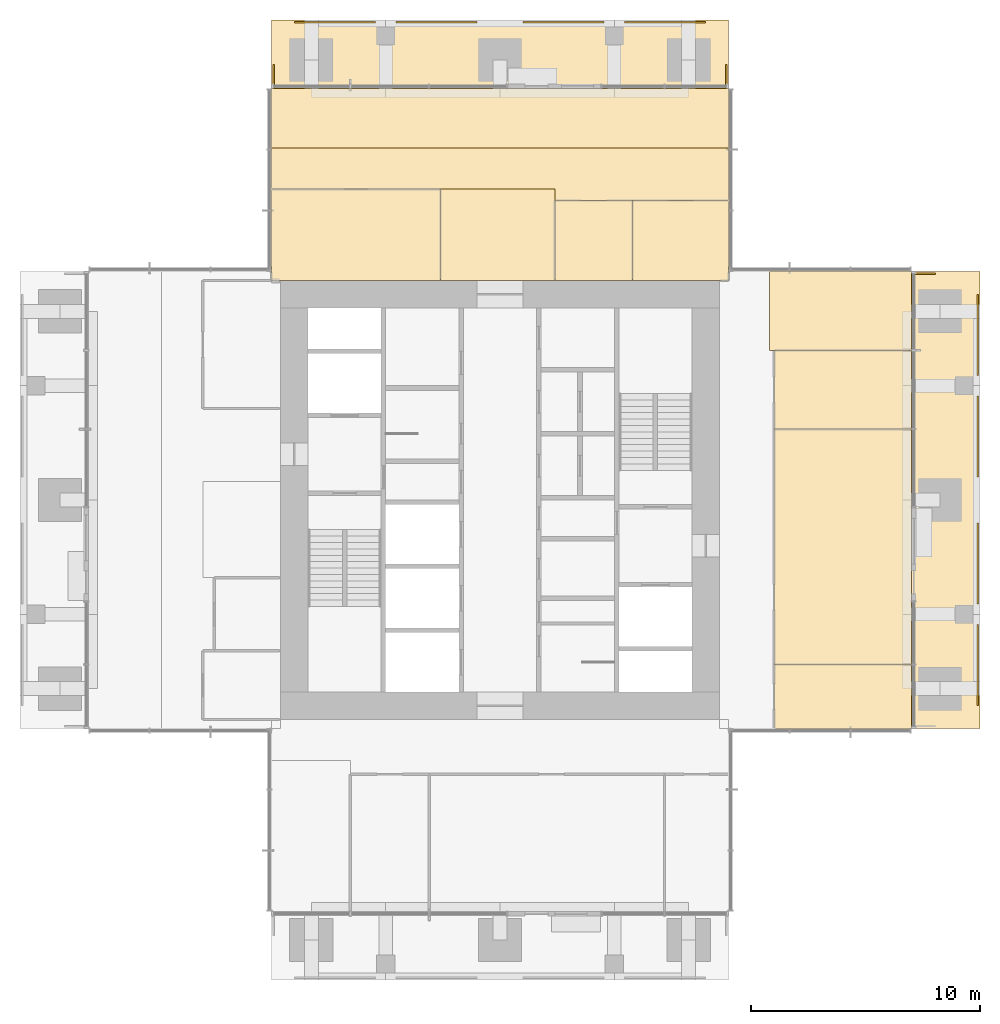
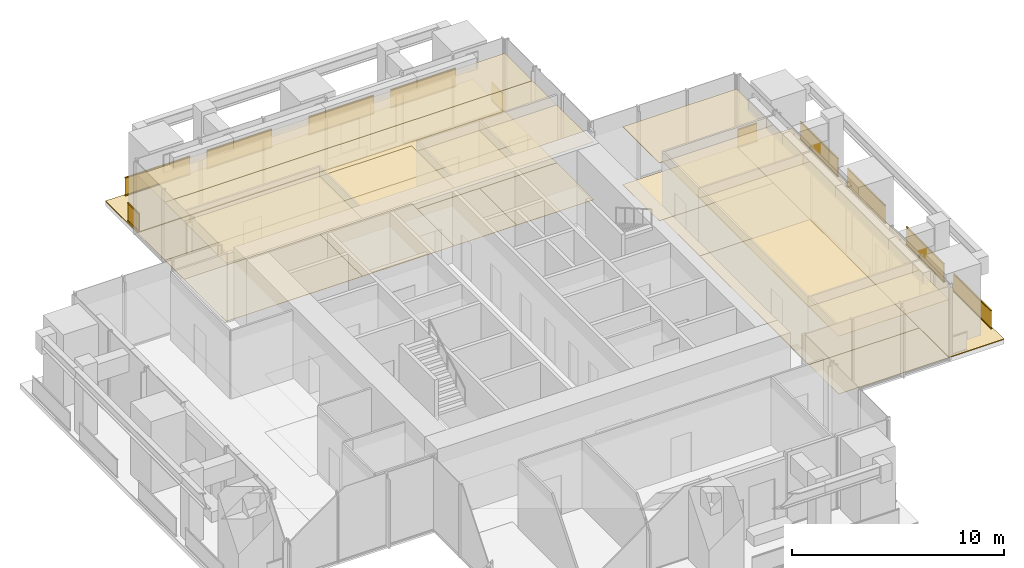
# One storey, part 11 of 12: 22 coverings, 11 railings.
"""IFC4 building model written with IfcOpenShell, lengths in metres."""

from ifc_helpers import new_model, si_unit, direction, frame, origin, origin_2d, place, context, subcontext, project, spatial, polyline, rectangle, outline, extrude, material, layer, layer_set, type_object, element, save


model = new_model("IFC4")

# Units and contexts
model_context = context("Model", 3, precision=1e-05, world=origin(), true_north=direction((0.0, 1.0)))
body_context = subcontext(model_context, "Body", "Model", "MODEL_VIEW")
ifc_project = project(units=[si_unit("LENGTHUNIT", "METRE"), si_unit("AREAUNIT", "SQUARE_METRE"), si_unit("VOLUMEUNIT", "CUBIC_METRE"), si_unit("PLANEANGLEUNIT", "RADIAN"), si_unit("MASSUNIT", "GRAM", prefix="KILO")], contexts=[model_context])

# Site, building, storey
site_placement = place(None, origin())
site = spatial("IfcSite", under=ifc_project, at=site_placement, CompositionType="ELEMENT")
building_placement = place(site_placement, origin())
building = spatial("IfcBuilding", under=site, at=building_placement, Name="Svetlomir Tower", CompositionType="ELEMENT")
storey_placement = place(building_placement, frame((0.0, 0.0, 244.0)))
storey = spatial("IfcBuildingStorey", under=building, at=storey_placement, Name="L58", CompositionType="ELEMENT", Elevation=244.0)

# Railings
ifc_material_1 = material(Name="Bronze anodised aluminium and laminated glass", Category="aluminium")
railing_type = type_object("IfcRailingType", Name="BALCONY GUARD GR1 1100", PredefinedType="GUARDRAIL", material=ifc_material_1)
for number, where, name in (
    (1, (41.89990234375, 12.0, 0.0), "Loggia guard E L58 bay 1"),
    (2, (41.89990234375, 16.449951171875, 0.0), "Loggia guard E L58 bay 2"),
    (3, (41.89990234375, 22.0, 0.0), "Loggia guard E L58 bay 3"),
    (4, (41.89990234375, 26.449951171875, 0.0), "Loggia guard E L58 bay 4"),
):
    element("IfcRailing", number, at=place(storey_placement, frame(where)), inside=storey, type_object=railing_type, Name=name, PredefinedType="GUARDRAIL", context=body_context, shape_type="SweptSolid", body=[
        extrude(rectangle(XDim=0.06005859375, YDim=0.10009765625, at=origin_2d()), frame((0.0, 0.0, 0.050048828125), z_axis=(0.0, 1.0, 0.0), x_axis=(-1.0, 0.0, 0.0)), (0.0, 0.0, 1.0), 3.550048828125),
        extrude(rectangle(XDim=0.021484375, YDim=0.960205078125, at=origin_2d()), frame((0.0, 0.0, 0.580078125), z_axis=(0.0, 1.0, 0.0), x_axis=(-1.0, 0.0, 0.0)), (0.0, 0.0, 1.0), 3.550048828125),
        extrude(rectangle(XDim=0.06005859375, YDim=0.0400390625, at=origin_2d()), frame((0.0, 0.0, 1.080078125), z_axis=(0.0, 1.0, 0.0), x_axis=(-1.0, 0.0, 0.0)), (0.0, 0.0, 1.0), 3.550048828125),
    ])
railing_placement = place(storey_placement, frame((40.050048828125, 30.89990234375, 0.0)))
element("IfcRailing", 5, at=railing_placement, inside=storey, type_object=railing_type, Name="Loggia guard E L58 end 2", PredefinedType="GUARDRAIL", context=body_context, shape_type="SweptSolid", body=[
    extrude(rectangle(XDim=0.06005859375, YDim=0.10009765625, at=origin_2d()), frame((0.0, 0.0, 0.050048828125), z_axis=(-1.0, 0.0, 0.0), x_axis=(0.0, -1.0, 0.0)), (0.0, 0.0, 1.0), 1.050048828125),
    extrude(rectangle(XDim=0.021484375, YDim=0.960205078125, at=origin_2d()), frame((0.0, 0.0, 0.580078125), z_axis=(-1.0, 0.0, 0.0), x_axis=(0.0, -1.0, 0.0)), (0.0, 0.0, 1.0), 1.050048828125),
    extrude(rectangle(XDim=0.06005859375, YDim=0.0400390625, at=origin_2d()), frame((0.0, 0.0, 1.080078125), z_axis=(-1.0, 0.0, 0.0), x_axis=(0.0, -1.0, 0.0)), (0.0, 0.0, 1.0), 1.050048828125),
])
for number, where, name in (
    (6, (12.0, 41.89990234375, 0.0), "Loggia guard N L58 bay 1"),
    (7, (16.449951171875, 41.89990234375, 0.0), "Loggia guard N L58 bay 2"),
    (8, (22.0, 41.89990234375, 0.0), "Loggia guard N L58 bay 3"),
    (9, (26.449951171875, 41.89990234375, 0.0), "Loggia guard N L58 bay 4"),
):
    element("IfcRailing", number, at=place(storey_placement, frame(where)), inside=storey, type_object=railing_type, Name=name, PredefinedType="GUARDRAIL", context=body_context, shape_type="SweptSolid", body=[
        extrude(rectangle(XDim=0.06005859375, YDim=0.10009765625, at=origin_2d()), frame((0.0, 0.0, 0.050048828125), z_axis=(1.0, 0.0, 0.0), x_axis=(0.0, 1.0, 0.0)), (0.0, 0.0, 1.0), 3.550048828125),
        extrude(rectangle(XDim=0.021484375, YDim=0.960205078125, at=origin_2d()), frame((0.0, 0.0, 0.580078125), z_axis=(1.0, 0.0, 0.0), x_axis=(0.0, 1.0, 0.0)), (0.0, 0.0, 1.0), 3.550048828125),
        extrude(rectangle(XDim=0.06005859375, YDim=0.0400390625, at=origin_2d()), frame((0.0, 0.0, 1.080078125), z_axis=(1.0, 0.0, 0.0), x_axis=(0.0, 1.0, 0.0)), (0.0, 0.0, 1.0), 3.550048828125),
    ])
for number, where, name in (
    (10, (11.10009765625, 40.050048828125, 0.0), "Loggia guard N L58 end 1"),
    (11, (30.89990234375, 40.050048828125, 0.0), "Loggia guard N L58 end 2"),
):
    element("IfcRailing", number, at=place(storey_placement, frame(where)), inside=storey, type_object=railing_type, Name=name, PredefinedType="GUARDRAIL", context=body_context, shape_type="SweptSolid", body=[
        extrude(rectangle(XDim=0.06005859375, YDim=0.10009765625, at=origin_2d()), frame((0.0, 0.0, 0.050048828125), z_axis=(0.0, -1.0, 0.0), x_axis=(1.0, 0.0, 0.0)), (0.0, 0.0, 1.0), 1.050048828125),
        extrude(rectangle(XDim=0.021484375, YDim=0.960205078125, at=origin_2d()), frame((0.0, 0.0, 0.580078125), z_axis=(0.0, -1.0, 0.0), x_axis=(1.0, 0.0, 0.0)), (0.0, 0.0, 1.0), 1.050048828125),
        extrude(rectangle(XDim=0.06005859375, YDim=0.0400390625, at=origin_2d()), frame((0.0, 0.0, 1.080078125), z_axis=(0.0, -1.0, 0.0), x_axis=(1.0, 0.0, 0.0)), (0.0, 0.0, 1.0), 1.050048828125),
    ])

# Coverings
ifc_material_2 = material(Name="Granite paving slabs on pedestals", Category="masonry")
ifc_layer_1 = layer(ifc_material_2, 0.0400390625)
ifc_layer_set_1 = layer_set([ifc_layer_1], Name="Granite paving slabs on pedestals")
covering_type_1 = type_object("IfcCoveringType", Name="BALCONY PAVING 40", PredefinedType="USERDEFINED", material=ifc_layer_set_1)
covering_1_placement = place(storey_placement, origin())
element("IfcCovering", 12, at=covering_1_placement, inside=storey, type_object=covering_type_1, Name="Loggia paving E L58", ObjectType="BALCONY PAVING", PredefinedType="USERDEFINED", context=body_context, shape_type="SweptSolid", body=[
    extrude(outline(polyline([(39.0, 11.0), (42.0, 11.0), (42.0, 31.0), (39.0, 31.0), (39.0, 11.0)])), origin(), (0.0, 0.0, 1.0), 0.0400390625),
])
covering_2_placement = place(storey_placement, origin())
element("IfcCovering", 13, at=covering_2_placement, inside=storey, type_object=covering_type_1, Name="Loggia paving N L58", ObjectType="BALCONY PAVING", PredefinedType="USERDEFINED", context=body_context, shape_type="SweptSolid", body=[
    extrude(outline(polyline([(11.0, 39.0), (31.0, 39.0), (31.0, 42.0), (11.0, 42.0), (11.0, 39.0)])), origin(), (0.0, 0.0, 1.0), 0.0400390625),
])
ifc_material_3 = material(Name="Engineered oak floor", Category="wood")
ifc_layer_2 = layer(ifc_material_3, 0.02001953125)
ifc_layer_set_2 = layer_set([ifc_layer_2], Name="Engineered oak floor")
covering_type_2 = type_object("IfcCoveringType", Name="OAK FLOOR 20", PredefinedType="FLOORING", material=ifc_layer_set_2)
covering_3_placement = place(storey_placement, origin())
element("IfcCovering", 14, at=covering_3_placement, inside=storey, type_object=covering_type_2, Name="Floor finish L58-21", PredefinedType="FLOORING", context=body_context, shape_type="SweptSolid", body=[
    extrude(outline(polyline([(33.0, 11.0), (39.0, 11.0), (39.0, 13.800048828125), (33.0, 13.800048828125), (33.0, 11.0)])), origin(), (0.0, 0.0, 1.0), 0.02001953125),
])
covering_4_placement = place(storey_placement, origin())
element("IfcCovering", 15, at=covering_4_placement, inside=storey, type_object=covering_type_2, Name="Floor finish L58-22", PredefinedType="FLOORING", context=body_context, shape_type="SweptSolid", body=[
    extrude(outline(polyline([(33.0, 13.800048828125), (39.0, 13.800048828125), (39.0, 24.10009765625), (33.0, 24.10009765625), (33.0, 13.800048828125)])), origin(), (0.0, 0.0, 1.0), 0.02001953125),
])
covering_5_placement = place(storey_placement, origin())
element("IfcCovering", 16, at=covering_5_placement, inside=storey, type_object=covering_type_2, Name="Floor finish L58-23", PredefinedType="FLOORING", context=body_context, shape_type="SweptSolid", body=[
    extrude(outline(polyline([(33.0, 24.10009765625), (39.0, 24.10009765625), (39.0, 27.550048828125), (33.0, 27.550048828125), (33.0, 24.10009765625)])), origin(), (0.0, 0.0, 1.0), 0.02001953125),
])
covering_6_placement = place(storey_placement, origin())
element("IfcCovering", 17, at=covering_6_placement, inside=storey, type_object=covering_type_2, Name="Floor finish L58-24", PredefinedType="FLOORING", context=body_context, shape_type="SweptSolid", body=[
    extrude(outline(polyline([(11.0, 30.60009765625), (18.39990234375, 30.60009765625), (18.39990234375, 34.60009765625), (11.0, 34.60009765625), (11.0, 30.60009765625)])), origin(), (0.0, 0.0, 1.0), 0.02001953125),
])
covering_7_placement = place(storey_placement, origin())
element("IfcCovering", 18, at=covering_7_placement, inside=storey, type_object=covering_type_2, Name="Floor finish L58-25", PredefinedType="FLOORING", context=body_context, shape_type="SweptSolid", body=[
    extrude(outline(polyline([(23.39990234375, 30.60009765625), (26.800048828125, 30.60009765625), (26.800048828125, 34.10009765625), (23.39990234375, 34.10009765625), (23.39990234375, 30.60009765625)])), origin(), (0.0, 0.0, 1.0), 0.02001953125),
])
covering_8_placement = place(storey_placement, origin())
element("IfcCovering", 19, at=covering_8_placement, inside=storey, type_object=covering_type_2, Name="Floor finish L58-26", PredefinedType="FLOORING", context=body_context, shape_type="SweptSolid", body=[
    extrude(outline(polyline([(26.800048828125, 30.60009765625), (31.0, 30.60009765625), (31.0, 34.10009765625), (26.800048828125, 34.10009765625), (26.800048828125, 30.60009765625)])), origin(), (0.0, 0.0, 1.0), 0.02001953125),
])
covering_9_placement = place(storey_placement, origin())
element("IfcCovering", 20, at=covering_9_placement, inside=storey, type_object=covering_type_2, Name="Floor finish L58-33", PredefinedType="FLOORING", context=body_context, shape_type="SweptSolid", body=[
    extrude(outline(polyline([(11.0, 34.60009765625), (11.0, 36.39990234375), (31.0, 36.39990234375), (31.0, 34.10009765625), (23.39990234375, 34.10009765625), (23.39990234375, 34.60009765625), (11.0, 34.60009765625)])), origin(), (0.0, 0.0, 1.0), 0.02001953125),
])
covering_10_placement = place(storey_placement, origin())
element("IfcCovering", 21, at=covering_10_placement, inside=storey, type_object=covering_type_2, Name="Floor finish L58-35", PredefinedType="FLOORING", context=body_context, shape_type="SweptSolid", body=[
    extrude(outline(polyline([(39.0, 27.550048828125), (32.800048828125, 27.550048828125), (32.800048828125, 31.0), (39.0, 31.0), (39.0, 27.550048828125)])), origin(), (0.0, 0.0, 1.0), 0.02001953125),
])
covering_11_placement = place(storey_placement, origin())
element("IfcCovering", 22, at=covering_11_placement, inside=storey, type_object=covering_type_2, Name="Floor finish L58-36", PredefinedType="FLOORING", context=body_context, shape_type="SweptSolid", body=[
    extrude(outline(polyline([(18.39990234375, 30.60009765625), (18.39990234375, 34.60009765625), (23.39990234375, 34.60009765625), (23.39990234375, 30.60009765625), (18.39990234375, 30.60009765625)])), origin(), (0.0, 0.0, 1.0), 0.02001953125),
])
covering_12_placement = place(storey_placement, origin())
element("IfcCovering", 23, at=covering_12_placement, inside=storey, type_object=covering_type_2, Name="Floor finish L58-37", PredefinedType="FLOORING", context=body_context, shape_type="SweptSolid", body=[
    extrude(outline(polyline([(31.0, 39.0), (31.0, 36.39990234375), (11.0, 36.39990234375), (11.0, 39.0), (31.0, 39.0)])), origin(), (0.0, 0.0, 1.0), 0.02001953125),
])
ifc_material_4 = material(Name="Mineral fibre ceiling tile", Category="mineral")
ifc_layer_3 = layer(ifc_material_4, 0.02001953125)
ifc_layer_set_3 = layer_set([ifc_layer_3], Name="Mineral fibre ceiling tile")
covering_type_3 = type_object("IfcCoveringType", Name="SUSPENDED CEILING 20", PredefinedType="CEILING", material=ifc_layer_set_3)
covering_13_placement = place(storey_placement, frame((0.0, 0.0, 3.330078125)))
element("IfcCovering", 24, at=covering_13_placement, inside=storey, type_object=covering_type_3, Name="Ceiling L58-21", PredefinedType="CEILING", context=body_context, shape_type="SweptSolid", body=[
    extrude(outline(polyline([(33.0, 11.0), (39.0, 11.0), (39.0, 13.800048828125), (33.0, 13.800048828125), (33.0, 11.0)])), origin(), (0.0, 0.0, 1.0), 0.02001953125),
])
covering_14_placement = place(storey_placement, frame((0.0, 0.0, 3.330078125)))
element("IfcCovering", 25, at=covering_14_placement, inside=storey, type_object=covering_type_3, Name="Ceiling L58-22", PredefinedType="CEILING", context=body_context, shape_type="SweptSolid", body=[
    extrude(outline(polyline([(33.0, 13.800048828125), (39.0, 13.800048828125), (39.0, 24.10009765625), (33.0, 24.10009765625), (33.0, 13.800048828125)])), origin(), (0.0, 0.0, 1.0), 0.02001953125),
])
covering_15_placement = place(storey_placement, frame((0.0, 0.0, 3.330078125)))
element("IfcCovering", 26, at=covering_15_placement, inside=storey, type_object=covering_type_3, Name="Ceiling L58-23", PredefinedType="CEILING", context=body_context, shape_type="SweptSolid", body=[
    extrude(outline(polyline([(33.0, 24.10009765625), (39.0, 24.10009765625), (39.0, 27.550048828125), (33.0, 27.550048828125), (33.0, 24.10009765625)])), origin(), (0.0, 0.0, 1.0), 0.02001953125),
])
covering_16_placement = place(storey_placement, frame((0.0, 0.0, 3.330078125)))
element("IfcCovering", 27, at=covering_16_placement, inside=storey, type_object=covering_type_3, Name="Ceiling L58-24", PredefinedType="CEILING", context=body_context, shape_type="SweptSolid", body=[
    extrude(outline(polyline([(11.0, 30.60009765625), (18.39990234375, 30.60009765625), (18.39990234375, 34.60009765625), (11.0, 34.60009765625), (11.0, 30.60009765625)])), origin(), (0.0, 0.0, 1.0), 0.02001953125),
])
covering_17_placement = place(storey_placement, frame((0.0, 0.0, 3.330078125)))
element("IfcCovering", 28, at=covering_17_placement, inside=storey, type_object=covering_type_3, Name="Ceiling L58-25", PredefinedType="CEILING", context=body_context, shape_type="SweptSolid", body=[
    extrude(outline(polyline([(23.39990234375, 30.60009765625), (26.800048828125, 30.60009765625), (26.800048828125, 34.10009765625), (23.39990234375, 34.10009765625), (23.39990234375, 30.60009765625)])), origin(), (0.0, 0.0, 1.0), 0.02001953125),
])
covering_18_placement = place(storey_placement, frame((0.0, 0.0, 3.330078125)))
element("IfcCovering", 29, at=covering_18_placement, inside=storey, type_object=covering_type_3, Name="Ceiling L58-26", PredefinedType="CEILING", context=body_context, shape_type="SweptSolid", body=[
    extrude(outline(polyline([(26.800048828125, 30.60009765625), (31.0, 30.60009765625), (31.0, 34.10009765625), (26.800048828125, 34.10009765625), (26.800048828125, 30.60009765625)])), origin(), (0.0, 0.0, 1.0), 0.02001953125),
])
covering_19_placement = place(storey_placement, frame((0.0, 0.0, 3.330078125)))
element("IfcCovering", 30, at=covering_19_placement, inside=storey, type_object=covering_type_3, Name="Ceiling L58-33", PredefinedType="CEILING", context=body_context, shape_type="SweptSolid", body=[
    extrude(outline(polyline([(11.0, 34.60009765625), (11.0, 36.39990234375), (31.0, 36.39990234375), (31.0, 34.10009765625), (23.39990234375, 34.10009765625), (23.39990234375, 34.60009765625), (11.0, 34.60009765625)])), origin(), (0.0, 0.0, 1.0), 0.02001953125),
])
covering_20_placement = place(storey_placement, frame((0.0, 0.0, 3.330078125)))
element("IfcCovering", 31, at=covering_20_placement, inside=storey, type_object=covering_type_3, Name="Ceiling L58-35", PredefinedType="CEILING", context=body_context, shape_type="SweptSolid", body=[
    extrude(outline(polyline([(39.0, 27.550048828125), (32.800048828125, 27.550048828125), (32.800048828125, 31.0), (39.0, 31.0), (39.0, 27.550048828125)])), origin(), (0.0, 0.0, 1.0), 0.02001953125),
])
covering_21_placement = place(storey_placement, frame((0.0, 0.0, 3.330078125)))
element("IfcCovering", 32, at=covering_21_placement, inside=storey, type_object=covering_type_3, Name="Ceiling L58-36", PredefinedType="CEILING", context=body_context, shape_type="SweptSolid", body=[
    extrude(outline(polyline([(18.39990234375, 30.60009765625), (18.39990234375, 34.60009765625), (23.39990234375, 34.60009765625), (23.39990234375, 30.60009765625), (18.39990234375, 30.60009765625)])), origin(), (0.0, 0.0, 1.0), 0.02001953125),
])
covering_22_placement = place(storey_placement, frame((0.0, 0.0, 3.330078125)))
element("IfcCovering", 33, at=covering_22_placement, inside=storey, type_object=covering_type_3, Name="Ceiling L58-37", PredefinedType="CEILING", context=body_context, shape_type="SweptSolid", body=[
    extrude(outline(polyline([(31.0, 39.0), (31.0, 36.39990234375), (11.0, 36.39990234375), (11.0, 39.0), (31.0, 39.0)])), origin(), (0.0, 0.0, 1.0), 0.02001953125),
])

save(model, "model.ifc")
